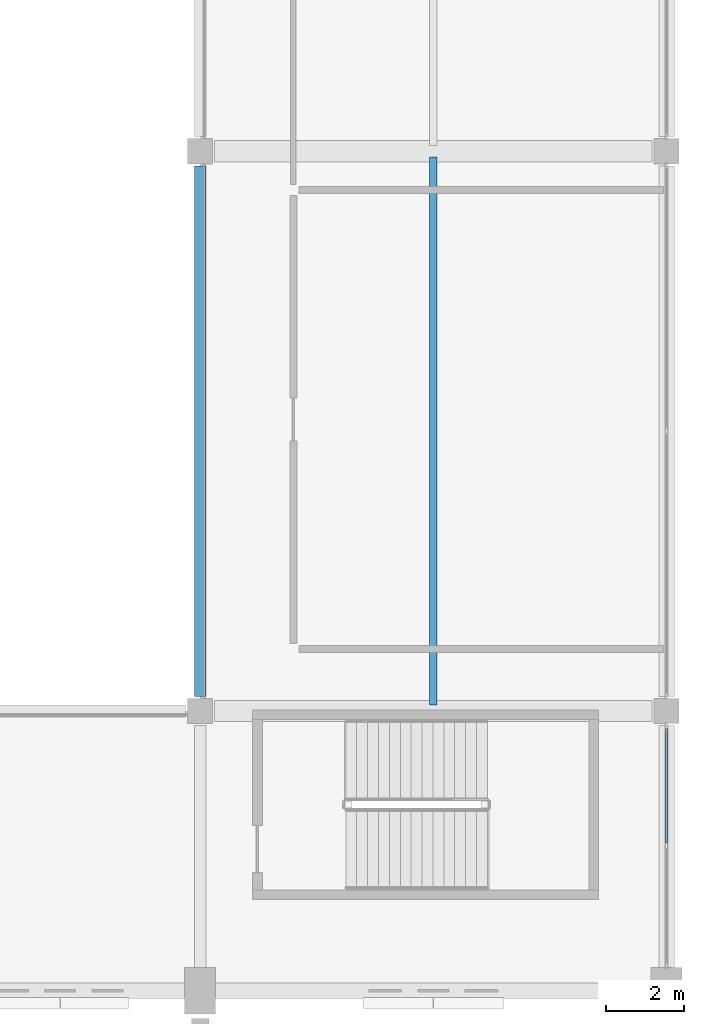
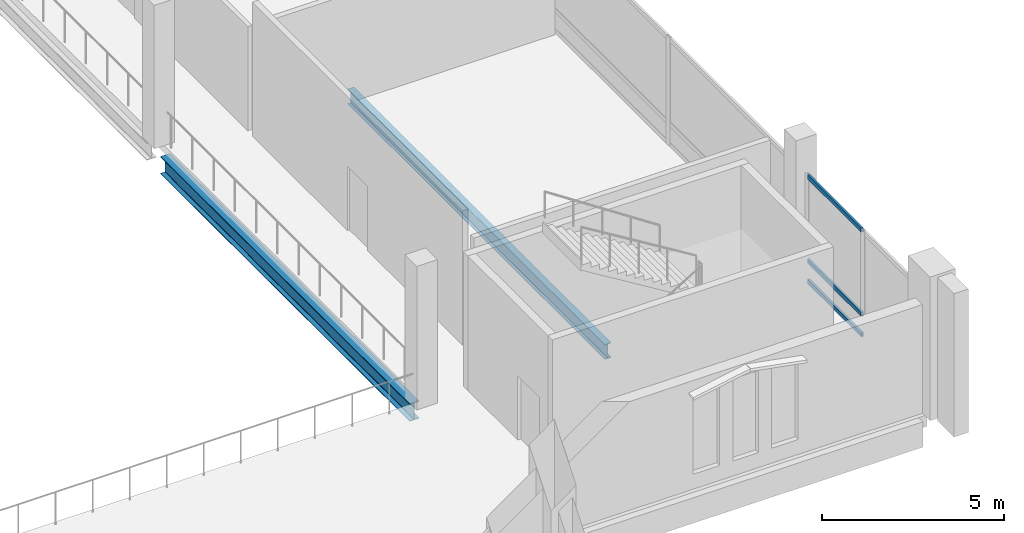
# One storey, part 102 of 220: 3 members, 2 beams, 1 element without a shape of its own.
"""IFC4 building model written with IfcOpenShell, lengths in metres."""

from ifc_helpers import new_model, si_unit, direction, frame, origin, origin_2d, place, context, subcontext, project, spatial, hollow_rectangle, i_section, extrude, material, material_profile, profile_set, type_object, element, aggregate, save


model = new_model("IFC4")

# Units and contexts
model_context = context("Model", 3, precision=1e-05, world=origin(), true_north=direction((0.0, 1.0)))
body_context = subcontext(model_context, "Body", "Model", "MODEL_VIEW")
ifc_project = project(units=[si_unit("LENGTHUNIT", "METRE"), si_unit("AREAUNIT", "SQUARE_METRE"), si_unit("VOLUMEUNIT", "CUBIC_METRE"), si_unit("PLANEANGLEUNIT", "RADIAN"), si_unit("MASSUNIT", "GRAM", prefix="KILO")], contexts=[model_context])

# Site, building, storey
site_placement = place(None, origin())
site = spatial("IfcSite", under=ifc_project, at=site_placement, CompositionType="ELEMENT")
building_placement = place(site_placement, origin())
building = spatial("IfcBuilding", under=site, at=building_placement, Name="Cendralis Lancet Convention Centre", CompositionType="ELEMENT")
storey_placement = place(building_placement, frame((0.0, 0.0, 5.39990234375)))
storey = spatial("IfcBuildingStorey", under=building, at=storey_placement, Name="L01", CompositionType="ELEMENT", Elevation=5.39990234375)

# Curtain wall, members
ifc_material_1 = material(Name="Anodised bronze architectural aluminium", Category="aluminium")
curtain_wall_type = type_object("IfcCurtainWallType", Name="ARC-CW-PL01", PredefinedType="USERDEFINED", material=ifc_material_1)
curtain_wall_placement = place(storey_placement, origin())
curtain_wall = element("IfcCurtainWall", 1, at=curtain_wall_placement, inside=storey, type_object=curtain_wall_type, Name="L01 Curtain Wall CW-PL1 #121", ObjectType="CURTAIN WALL", PredefinedType="USERDEFINED")
ifc_material_profile_1 = material_profile(ifc_material_1, hollow_rectangle(XDim=0.070068359375, YDim=0.139892578125, WallThickness=0.00390625, at=origin_2d()), Name="AL-TRAN 70x140x4.0")
ifc_profile_set_1 = profile_set([ifc_material_profile_1], Name="Anodised bronze architectural aluminium")
member_type = type_object("IfcMemberType", Name="ARC-CW-TR02", PredefinedType="USERDEFINED", material=ifc_profile_set_1)
member_1_placement = place(storey_placement, frame((208.800048828125, 49.955078125, 0.070068359375), z_axis=(0.0, -1.0, 0.0), x_axis=(1.0, 0.0, 0.0)))
member_1 = element("IfcMember", 2, at=member_1_placement, type_object=member_type, Name="Transom CW2-CW-PL1-L01-121-T0BOT", ObjectType="TRANSOM", PredefinedType="USERDEFINED", context=body_context, shape_type="SweptSolid", body=[
    extrude(hollow_rectangle(XDim=0.070068359375, YDim=0.139892578125, WallThickness=0.00390625, at=origin_2d()), origin(), (0.0, 0.0, 1.0), 2.947509765625),
])
member_2_placement = place(storey_placement, frame((208.800048828125, 49.955078125, 0.75), z_axis=(0.0, -1.0, 0.0), x_axis=(1.0, 0.0, 0.0)))
member_2 = element("IfcMember", 3, at=member_2_placement, type_object=member_type, Name="Transom CW2-CW-PL1-L01-121-T0MID", ObjectType="TRANSOM", PredefinedType="USERDEFINED", context=body_context, shape_type="SweptSolid", body=[
    extrude(hollow_rectangle(XDim=0.070068359375, YDim=0.139892578125, WallThickness=0.00390625, at=origin_2d()), origin(), (0.0, 0.0, 1.0), 2.947509765625),
])
member_3_placement = place(storey_placement, frame((208.800048828125, 49.955078125, 3.565185546875), z_axis=(0.0, -1.0, 0.0), x_axis=(1.0, 0.0, 0.0)))
member_3 = element("IfcMember", 4, at=member_3_placement, type_object=member_type, Name="Transom CW2-CW-PL1-L01-121-T0TOP", ObjectType="TRANSOM", PredefinedType="USERDEFINED", context=body_context, shape_type="SweptSolid", body=[
    extrude(hollow_rectangle(XDim=0.070068359375, YDim=0.139892578125, WallThickness=0.00390625, at=origin_2d()), origin(), (0.0, 0.0, 1.0), 2.947509765625),
])
aggregate(curtain_wall, [member_1, member_2, member_3])

# Beams
ifc_material_2 = material(Name="Steel S355", Category="steel")
ifc_material_profile_2 = material_profile(ifc_material_2, i_section(OverallWidth=0.300048828125, OverallDepth=0.590087890625, WebThickness=0.012939453125, FlangeThickness=0.02490234375, FilletRadius=0.027099609375, at=origin_2d()), Name="HEA 600")
ifc_profile_set_2 = profile_set([ifc_material_profile_2], Name="Steel S355")
beam_type_1 = type_object("IfcBeamType", Name="STR-BM-SG10", PredefinedType="BEAM", material=ifc_profile_set_2)
beam_1_placement = place(storey_placement, frame((196.800048828125, 50.77490234375, -0.574951171875), z_axis=(0.0, 1.0, 0.0), x_axis=(-1.0, 0.0, 0.0)))
element("IfcBeam", 5, at=beam_1_placement, inside=storey, type_object=beam_type_1, Name="L01 Beam SG10 #1433", PredefinedType="BEAM", context=body_context, shape_type="SweptSolid", body=[
    extrude(i_section(OverallWidth=0.300048828125, OverallDepth=0.590087890625, WebThickness=0.012939453125, FlangeThickness=0.02490234375, FilletRadius=0.027099609375, at=origin_2d()), origin(), (0.0, 0.0, 1.0), 13.650146484375),
])
ifc_material_profile_3 = material_profile(ifc_material_2, i_section(OverallWidth=0.199951171875, OverallDepth=0.5, WebThickness=0.01025390625, FlangeThickness=0.01611328125, FilletRadius=0.02099609375, at=origin_2d()), Name="IPE 500")
ifc_profile_set_3 = profile_set([ifc_material_profile_3], Name="Steel S355")
beam_type_2 = type_object("IfcBeamType", Name="STR-JS-BJ06", PredefinedType="JOIST", material=ifc_profile_set_3)
beam_2_placement = place(storey_placement, frame((202.800048828125, 50.550048828125, -0.52978515625), z_axis=(0.0, 1.0, 0.0), x_axis=(-1.0, 0.0, 0.0)))
element("IfcBeam", 6, at=beam_2_placement, inside=storey, type_object=beam_type_2, Name="L01 Beam BJ06 #1446", PredefinedType="JOIST", context=body_context, shape_type="SweptSolid", body=[
    extrude(i_section(OverallWidth=0.199951171875, OverallDepth=0.5, WebThickness=0.01025390625, FlangeThickness=0.01611328125, FilletRadius=0.02099609375, at=origin_2d()), origin(), (0.0, 0.0, 1.0), 14.099853515625),
])

save(model, "model.ifc")
